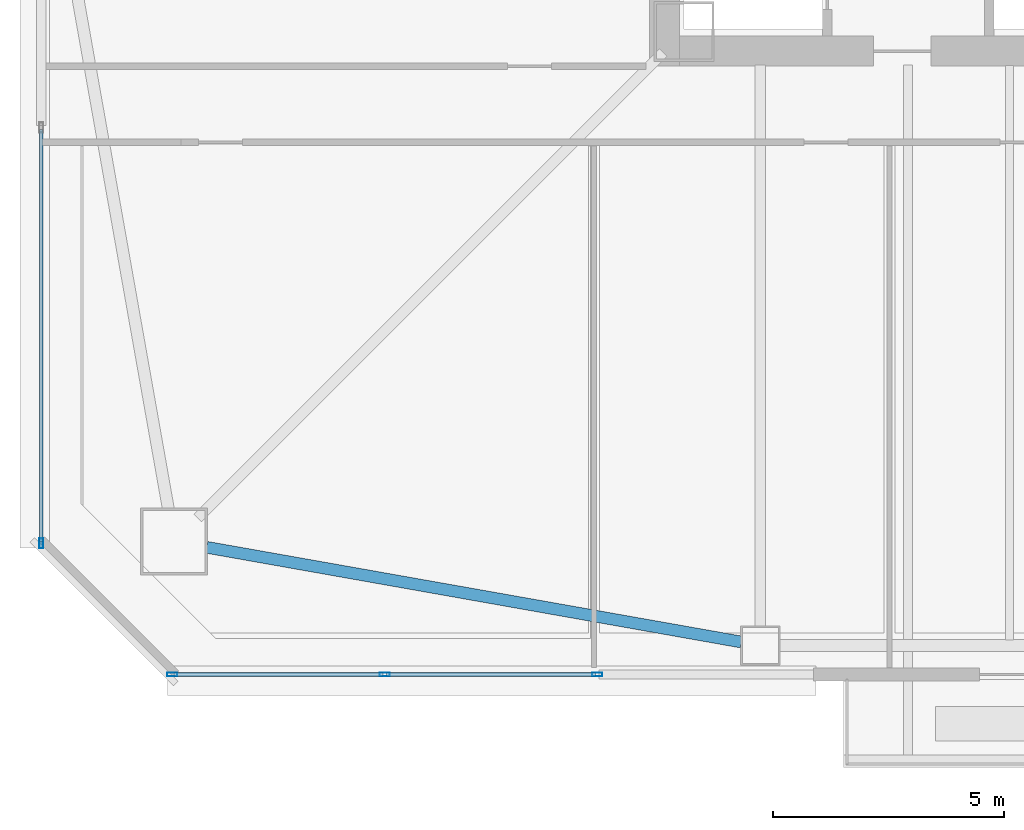
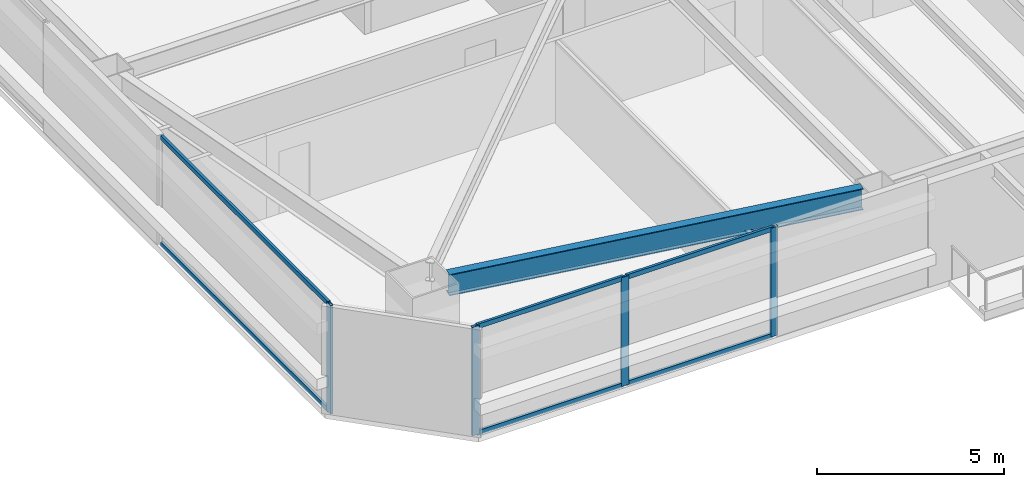
# One storey, part 3 of 44: 10 members, 1 beam, 2 elements without a shape of their own.
"""IFC4 building model written with IfcOpenShell, lengths in metres."""

from ifc_helpers import new_model, si_unit, direction, frame, origin, origin_2d, place, context, subcontext, project, spatial, hollow_rectangle, i_section, extrude, material, material_profile, profile_set, type_object, element, aggregate, save


model = new_model("IFC4")

# Units and contexts
model_context = context("Model", 3, precision=1e-05, world=origin(), true_north=direction((0.0, 1.0)))
body_context = subcontext(model_context, "Body", "Model", "MODEL_VIEW")
ifc_project = project(units=[si_unit("LENGTHUNIT", "METRE"), si_unit("AREAUNIT", "SQUARE_METRE"), si_unit("VOLUMEUNIT", "CUBIC_METRE"), si_unit("PLANEANGLEUNIT", "RADIAN"), si_unit("MASSUNIT", "GRAM", prefix="KILO")], contexts=[model_context])

# Site, building, storey
site_placement = place(None, origin())
site = spatial("IfcSite", under=ifc_project, at=site_placement, CompositionType="ELEMENT")
building_placement = place(site_placement, origin())
building = spatial("IfcBuilding", under=site, at=building_placement, Name="Tashvorn Skyway Center", CompositionType="ELEMENT")
storey_placement = place(building_placement, frame((0.0, 0.0, 92.050048828125)))
storey = spatial("IfcBuildingStorey", under=building, at=storey_placement, Name="L24", CompositionType="ELEMENT", Elevation=92.050048828125)

# Beam
ifc_material_1 = material(Name="Steel ASTM A992 Grade 50", Category="steel")
ifc_material_profile_1 = material_profile(ifc_material_1, i_section(OverallWidth=0.256103515625, OverallDepth=0.693115234375, WebThickness=0.014404296875, FlangeThickness=0.023681640625, at=origin_2d()), Name="W27X114")
ifc_profile_set_1 = profile_set([ifc_material_profile_1], Name="Steel ASTM A992 Grade 50")
beam_type = type_object("IfcBeamType", Name="BM-SPANDREL-W27X114", PredefinedType="SPANDREL", material=ifc_profile_set_1)
beam_placement = place(storey_placement, frame((24.60888671875, 13.7744140625, 3.00341796875), z_axis=(0.98466816531, -0.174437966698, 0.0), x_axis=(0.174437966698, 0.98466816531, 0.0)))
element("IfcBeam", 1, at=beam_placement, inside=storey, type_object=beam_type, Name="Tower 1 L24 Spandrel Beam 01", PredefinedType="SPANDREL", context=body_context, shape_type="SweptSolid", body=[
    extrude(i_section(OverallWidth=0.256103515625, OverallDepth=0.693115234375, WebThickness=0.014404296875, FlangeThickness=0.023681640625, at=origin_2d()), origin(), (0.0, 0.0, 1.0), 11.7578125),
])

# Curtain wall, members
ifc_material_2 = material(Name="Thermally broken bronze-anodized aluminium 6063-T6", Category="aluminium")
curtain_wall_type = type_object("IfcCurtainWallType", Name="CW-CW-Z2", PredefinedType="NOTDEFINED", material=ifc_material_2)
curtain_wall_1_placement = place(storey_placement, origin())
curtain_wall_1 = element("IfcCurtainWall", 2, at=curtain_wall_1_placement, inside=storey, type_object=curtain_wall_type, Name="Tower 1 L24 South Curtain Wall R Glazing Group 1", PredefinedType="NOTDEFINED")
ifc_material_profile_2 = material_profile(ifc_material_2, hollow_rectangle(XDim=0.080078125, YDim=0.219970703125, WallThickness=0.0048828125, at=origin_2d()), Name="ALU-MULL-80x220")
ifc_profile_set_2 = profile_set([ifc_material_profile_2], Name="Thermally broken bronze-anodized aluminium 6063-T6")
member_type_1 = type_object("IfcMemberType", Name="CWM-CW-Z2", PredefinedType="MULLION", material=ifc_profile_set_2)
member_1_placement = place(storey_placement, frame((33.066650390625, 11.02001953125, 0.0), z_axis=(0.0, 0.0, 1.0), x_axis=(0.0, -1.0, 0.0)))
member_1 = element("IfcMember", 3, at=member_1_placement, type_object=member_type_1, Name="CW-Z2 mullion 1", PredefinedType="MULLION", context=body_context, shape_type="SweptSolid", body=[
    extrude(hollow_rectangle(XDim=0.080078125, YDim=0.219970703125, WallThickness=0.0048828125, at=origin_2d()), origin(), (0.0, 0.0, 1.0), 3.550048828125),
])
member_2_placement = place(storey_placement, frame((28.46337890625, 11.02001953125, 0.0), z_axis=(0.0, 0.0, 1.0), x_axis=(0.0, -1.0, 0.0)))
member_2 = element("IfcMember", 4, at=member_2_placement, type_object=member_type_1, Name="CW-Z2 mullion 2", PredefinedType="MULLION", context=body_context, shape_type="SweptSolid", body=[
    extrude(hollow_rectangle(XDim=0.080078125, YDim=0.219970703125, WallThickness=0.0048828125, at=origin_2d()), origin(), (0.0, 0.0, 1.0), 3.550048828125),
])
member_3_placement = place(storey_placement, frame((23.860107421875, 11.02001953125, 0.0), z_axis=(0.0, 0.0, 1.0), x_axis=(0.0, -1.0, 0.0)))
member_3 = element("IfcMember", 5, at=member_3_placement, type_object=member_type_1, Name="CW-Z2 mullion 3", PredefinedType="MULLION", context=body_context, shape_type="SweptSolid", body=[
    extrude(hollow_rectangle(XDim=0.080078125, YDim=0.219970703125, WallThickness=0.0048828125, at=origin_2d()), origin(), (0.0, 0.0, 1.0), 3.550048828125),
])

# Curtain wall, member
curtain_wall_2_placement = place(storey_placement, origin())
curtain_wall_2 = element("IfcCurtainWall", 6, at=curtain_wall_2_placement, inside=storey, type_object=curtain_wall_type, Name="Tower 1 L24 West Unitised Curtain Wall Glazing Group 1", PredefinedType="NOTDEFINED")
member_4_placement = place(storey_placement, frame((21.02001953125, 13.860107421875, 0.0), z_axis=(0.0, 0.0, 1.0), x_axis=(-1.0, 0.0, 0.0)))
member_4 = element("IfcMember", 7, at=member_4_placement, type_object=member_type_1, Name="CW-Z2 mullion 1", PredefinedType="MULLION", context=body_context, shape_type="SweptSolid", body=[
    extrude(hollow_rectangle(XDim=0.080078125, YDim=0.219970703125, WallThickness=0.0048828125, at=origin_2d()), origin(), (0.0, 0.0, 1.0), 3.550048828125),
])

# Member
ifc_material_profile_3 = material_profile(ifc_material_2, hollow_rectangle(XDim=0.080078125, YDim=0.14990234375, WallThickness=0.00439453125, at=origin_2d()), Name="ALU-TRAN-80x150")
ifc_profile_set_3 = profile_set([ifc_material_profile_3], Name="Thermally broken bronze-anodized aluminium 6063-T6")
member_type_2 = type_object("IfcMemberType", Name="CWT-CW-Z2", PredefinedType="USERDEFINED", material=ifc_profile_set_3)
member_5_placement = place(storey_placement, frame((33.026611328125, 11.02001953125, 0.0400390625), z_axis=(-1.0, 0.0, 0.0), x_axis=(0.0, -1.0, 0.0)))
member_5 = element("IfcMember", 8, at=member_5_placement, type_object=member_type_2, Name="CW-Z2 transom 1.1", ObjectType="TRANSOM", PredefinedType="USERDEFINED", context=body_context, shape_type="SweptSolid", body=[
    extrude(hollow_rectangle(XDim=0.080078125, YDim=0.14990234375, WallThickness=0.00439453125, at=origin_2d()), origin(), (0.0, 0.0, 1.0), 4.523193359375),
])

member_6_placement = place(storey_placement, frame((33.026611328125, 11.02001953125, 3.510009765625), z_axis=(-1.0, 0.0, 0.0), x_axis=(0.0, -1.0, 0.0)))
member_6 = element("IfcMember", 9, at=member_6_placement, type_object=member_type_2, Name="CW-Z2 transom 1.2", ObjectType="TRANSOM", PredefinedType="USERDEFINED", context=body_context, shape_type="SweptSolid", body=[
    extrude(hollow_rectangle(XDim=0.080078125, YDim=0.14990234375, WallThickness=0.00439453125, at=origin_2d()), origin(), (0.0, 0.0, 1.0), 4.523193359375),
])

member_7_placement = place(storey_placement, frame((28.42333984375, 11.02001953125, 0.0400390625), z_axis=(-1.0, 0.0, 0.0), x_axis=(0.0, -1.0, 0.0)))
member_7 = element("IfcMember", 10, at=member_7_placement, type_object=member_type_2, Name="CW-Z2 transom 2.1", ObjectType="TRANSOM", PredefinedType="USERDEFINED", context=body_context, shape_type="SweptSolid", body=[
    extrude(hollow_rectangle(XDim=0.080078125, YDim=0.14990234375, WallThickness=0.00439453125, at=origin_2d()), origin(), (0.0, 0.0, 1.0), 4.5234375),
])

member_8_placement = place(storey_placement, frame((28.42333984375, 11.02001953125, 3.510009765625), z_axis=(-1.0, 0.0, 0.0), x_axis=(0.0, -1.0, 0.0)))
member_8 = element("IfcMember", 11, at=member_8_placement, type_object=member_type_2, Name="CW-Z2 transom 2.2", ObjectType="TRANSOM", PredefinedType="USERDEFINED", context=body_context, shape_type="SweptSolid", body=[
    extrude(hollow_rectangle(XDim=0.080078125, YDim=0.14990234375, WallThickness=0.00439453125, at=origin_2d()), origin(), (0.0, 0.0, 1.0), 4.5234375),
])

aggregate(curtain_wall_1, [member_1, member_2, member_3, member_5, member_6, member_7, member_8])

member_9_placement = place(storey_placement, frame((21.02001953125, 13.89990234375, 0.0400390625), z_axis=(0.0, 1.0, 0.0), x_axis=(-1.0, 0.0, 0.0)))
member_9 = element("IfcMember", 12, at=member_9_placement, type_object=member_type_2, Name="CW-Z2 transom 1.1", ObjectType="TRANSOM", PredefinedType="USERDEFINED", context=body_context, shape_type="SweptSolid", body=[
    extrude(hollow_rectangle(XDim=0.080078125, YDim=0.14990234375, WallThickness=0.00439453125, at=origin_2d()), origin(), (0.0, 0.0, 1.0), 8.93017578125),
])

member_10_placement = place(storey_placement, frame((21.02001953125, 13.89990234375, 3.510009765625), z_axis=(0.0, 1.0, 0.0), x_axis=(-1.0, 0.0, 0.0)))
member_10 = element("IfcMember", 13, at=member_10_placement, type_object=member_type_2, Name="CW-Z2 transom 1.2", ObjectType="TRANSOM", PredefinedType="USERDEFINED", context=body_context, shape_type="SweptSolid", body=[
    extrude(hollow_rectangle(XDim=0.080078125, YDim=0.14990234375, WallThickness=0.00439453125, at=origin_2d()), origin(), (0.0, 0.0, 1.0), 8.93017578125),
])

aggregate(curtain_wall_2, [member_4, member_9, member_10])

save(model, "model.ifc")
